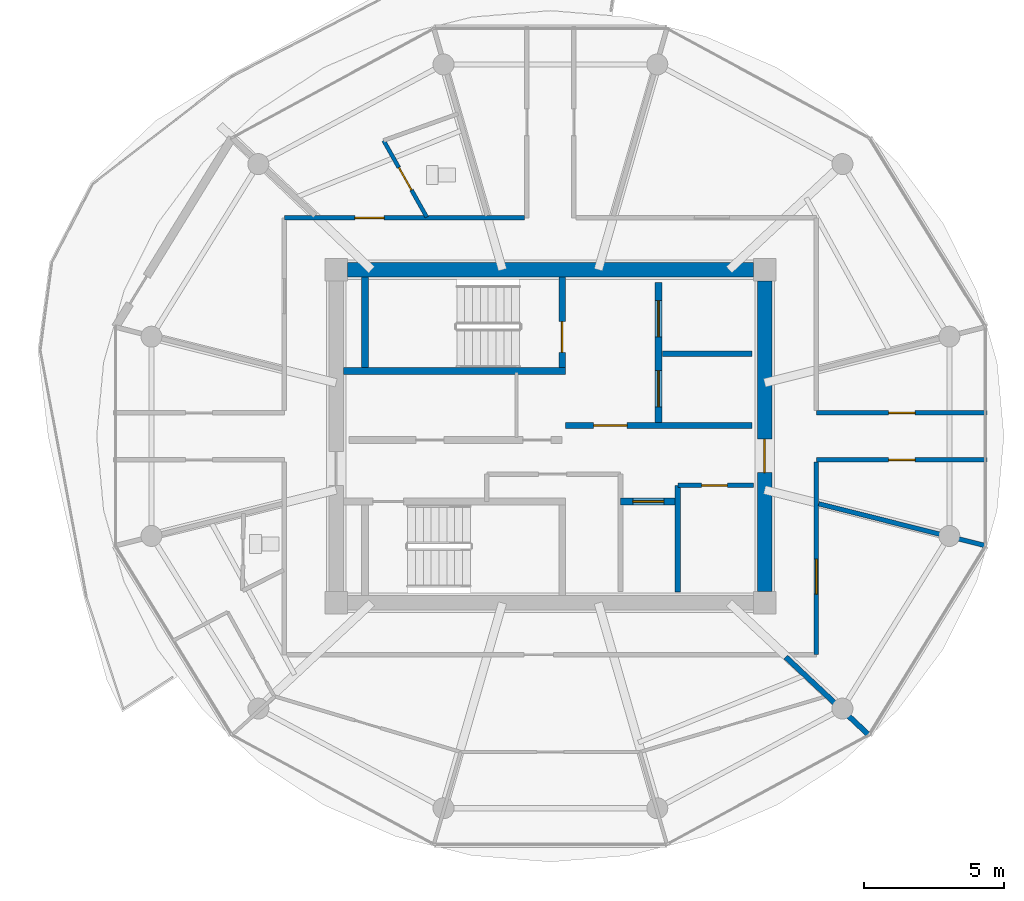
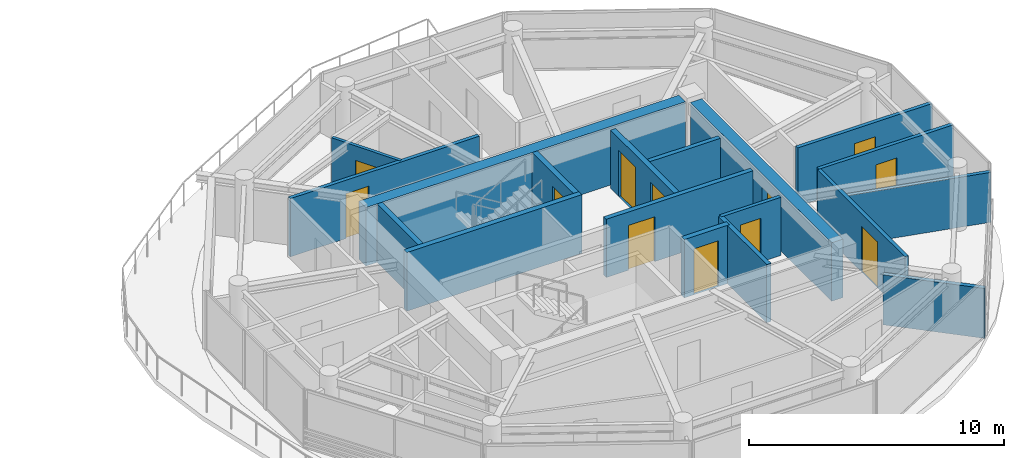
# One storey, part 13 of 19: 18 walls, 12 doors, 12 openings.
"""IFC4 building model written with IfcOpenShell, lengths in metres."""

from ifc_helpers import new_model, si_unit, direction, frame, frame_2d, origin, place, context, subcontext, project, spatial, rectangle, extrude, source, transform, mapped, material, layer, layer_set, type_object, type_shapes, element, fill, save


model = new_model("IFC4")

# Units and contexts
model_context = context("Model", 3, precision=1e-05, world=origin(), true_north=direction((0.0, 1.0)))
body_context = subcontext(model_context, "Body", "Model", "MODEL_VIEW")
ifc_project = project(units=[si_unit("LENGTHUNIT", "METRE"), si_unit("AREAUNIT", "SQUARE_METRE"), si_unit("VOLUMEUNIT", "CUBIC_METRE"), si_unit("PLANEANGLEUNIT", "RADIAN"), si_unit("MASSUNIT", "GRAM", prefix="KILO")], contexts=[model_context])

# Site, building, storey
site_placement = place(None, origin())
site = spatial("IfcSite", under=ifc_project, at=site_placement, CompositionType="ELEMENT")
building_placement = place(site_placement, origin())
building = spatial("IfcBuilding", under=site, at=building_placement, Name="Norrkilde Senior Care Towers", CompositionType="ELEMENT")
storey_placement = place(building_placement, frame((0.0, 0.0, 193.699951171875)))
storey = spatial("IfcBuildingStorey", under=building, at=storey_placement, Name="L60", CompositionType="ELEMENT", Elevation=193.699951171875)

# Wall
ifc_material_1 = material(Name="Concrete C50/60", Category="concrete")
ifc_layer_1 = layer(ifc_material_1, 0.52001953125)
ifc_layer_set_1 = layer_set([ifc_layer_1], Name="Concrete C50/60")
wall_type_1 = type_object("IfcWallType", Name="Core Shear Wall Z4 520", PredefinedType="SHEAR", material=ifc_layer_set_1)
shared_shape_1 = source(origin(), body_context, "Body", "SweptSolid", [
    extrude(rectangle(XDim=14.5, YDim=0.52001953125, at=frame_2d((7.25, 0.0))), origin(), (0.0, 0.0, 1.0), 2.81005859375),
])
wall_1_placement = place(storey_placement, frame((20.75, 5.949951171875, 0.0), z_axis=(0.0, 0.0, 1.0), x_axis=(1.0, 0.0, 0.0)))
element("IfcWall", 1, at=wall_1_placement, inside=storey, type_object=wall_type_1, Name="L60 Core E North Shear Wall", PredefinedType="SHEAR", context=body_context, shape_type="MappedRepresentation", body=[
    mapped(shared_shape_1, transform((0.0, 0.0, 0.0), x_axis=(1.0, 0.0, 0.0), y_axis=(0.0, 1.0, 0.0), z_axis=(0.0, 0.0, 1.0), scale=1.0)),
])

# Wall, opening, door
shared_shape_2 = source(origin(), body_context, "Body", "SweptSolid", [
    extrude(rectangle(XDim=11.10009765625, YDim=0.52001953125, at=frame_2d((5.550048828125, 0.0))), origin(), (0.0, 0.0, 1.0), 2.81005859375),
])
type_shapes(wall_type_1, [shared_shape_1, shared_shape_2])
wall_2_placement = place(storey_placement, frame((35.64990234375, 5.550048828125, 0.0), z_axis=(0.0, 0.0, 1.0), x_axis=(0.0, -1.0, 0.0)))
wall_2 = element("IfcWall", 2, at=wall_2_placement, inside=storey, type_object=wall_type_1, Name="L60 Core E East Shear Wall", PredefinedType="SHEAR", context=body_context, shape_type="MappedRepresentation", body=[
    mapped(shared_shape_2, transform((0.0, 0.0, 0.0), x_axis=(1.0, 0.0, 0.0), y_axis=(0.0, 1.0, 0.0), z_axis=(0.0, 0.0, 1.0), scale=1.0)),
])
opening_1_placement = place(wall_2_placement, frame((5.64990234375, 0.0, 0.0)))
opening_1 = element("IfcOpeningElement", 3, at=opening_1_placement, cuts=wall_2, Name="Opening D-04", PredefinedType="OPENING", context=body_context, shape_type="SweptSolid", body=[
    extrude(rectangle(XDim=1.199951171875, YDim=2.14990234375, at=frame_2d((0.60009765625, 1.074951171875))), frame((0.0, 0.27001953125, 0.0), z_axis=(0.0, -1.0, 0.0), x_axis=(1.0, 0.0, 0.0)), (0.0, 0.0, 1.0), 0.5400390625),
])
ifc_material_2 = material(Name="Galvanised Painted Steel", Category="steel")
door_type_1 = type_object("IfcDoorType", Name="Firefighting Lobby Fire Door 1200x2150", OperationType="NOTDEFINED", PredefinedType="DOOR", material=ifc_material_2)
shared_shape_3 = source(origin(), body_context, "Body", "SweptSolid", [
    extrude(rectangle(XDim=1.199951171875, YDim=2.14990234375, at=frame_2d((0.60009765625, 1.074951171875))), frame((0.0, 0.02490234375, 0.0), z_axis=(0.0, -1.0, 0.0), x_axis=(1.0, 0.0, 0.0)), (0.0, 0.0, 1.0), 0.050048828125),
])
type_shapes(door_type_1, [shared_shape_3])
door_1_placement = place(opening_1_placement, frame((1.199951171875, 0.0, 0.0), z_axis=(0.0, 0.0, 1.0), x_axis=(-1.0, 0.0, 0.0)))
door_1 = element("IfcDoor", 4, at=door_1_placement, inside=storey, type_object=door_type_1, Name="L60 Core E East Portal Door", OperationType="SINGLE_SWING_RIGHT", OverallHeight=2.14990234375, OverallWidth=1.199951171875, PredefinedType="DOOR", context=body_context, shape_type="MappedRepresentation", body=[
    mapped(shared_shape_3, transform((0.0, 0.0, 0.0), x_axis=(1.0, 0.0, 0.0), y_axis=(0.0, 1.0, 0.0), z_axis=(0.0, 0.0, 1.0), scale=1.0)),
])
fill(opening_1, door_1)

# Wall, openings, doors
ifc_material_3 = material(Name="Concrete C45/55", Category="concrete")
ifc_layer_2 = layer(ifc_material_3, 0.239990234375)
ifc_layer_set_2 = layer_set([ifc_layer_2], Name="Concrete C45/55")
wall_type_2 = type_object("IfcWallType", Name="Lift and Plant Rated Enclosure Partition 240", PredefinedType="PARTITIONING", material=ifc_layer_set_2)
shared_shape_4 = source(origin(), body_context, "Body", "SweptSolid", [
    extrude(rectangle(XDim=5.0, YDim=0.239990234375, at=frame_2d((2.5, 0.0))), origin(), (0.0, 0.0, 1.0), 2.795166015625),
])
wall_3_placement = place(storey_placement, frame((31.860107421875, 0.5, 0.0), z_axis=(0.0, 0.0, 1.0), x_axis=(0.0, 1.0, 0.0)))
wall_3 = element("IfcWall", 5, at=wall_3_placement, inside=storey, type_object=wall_type_2, Name="WL-INT-L60-E-FFLE", PredefinedType="PARTITIONING", context=body_context, shape_type="MappedRepresentation", body=[
    mapped(shared_shape_4, transform((0.0, 0.0, 0.0), x_axis=(1.0, 0.0, 0.0), y_axis=(0.0, 1.0, 0.0), z_axis=(0.0, 0.0, 1.0), scale=1.0)),
])
opening_2_placement = place(wall_3_placement, frame((3.050048828125, 0.0, 0.0)))
opening_2 = element("IfcOpeningElement", 6, at=opening_2_placement, cuts=wall_3, Name="Opening LD-02", PredefinedType="OPENING", context=body_context, shape_type="SweptSolid", body=[
    extrude(rectangle(XDim=1.300048828125, YDim=2.199951171875, at=frame_2d((0.64990234375, 1.10009765625))), frame((0.0, 0.1298828125, 0.0), z_axis=(0.0, -1.0, 0.0), x_axis=(1.0, 0.0, 0.0)), (0.0, 0.0, 1.0), 0.260009765625),
])
opening_3_placement = place(wall_3_placement, frame((0.550048828125, 0.0, 0.0)))
opening_3 = element("IfcOpeningElement", 7, at=opening_3_placement, cuts=wall_3, Name="Opening LD-02", PredefinedType="OPENING", context=body_context, shape_type="SweptSolid", body=[
    extrude(rectangle(XDim=1.300048828125, YDim=2.199951171875, at=frame_2d((0.64990234375, 1.10009765625))), frame((0.0, 0.1298828125, 0.0), z_axis=(0.0, -1.0, 0.0), x_axis=(1.0, 0.0, 0.0)), (0.0, 0.0, 1.0), 0.260009765625),
])
ifc_material_4 = material(Name="Stainless Steel", Category="steel")
door_type_2 = type_object("IfcDoorType", Name="Stretcher and FFL Landing Sliding Door 1300x2200", OperationType="NOTDEFINED", PredefinedType="DOOR", material=ifc_material_4)
shared_shape_5 = source(origin(), body_context, "Body", "SweptSolid", [
    extrude(rectangle(XDim=1.300048828125, YDim=2.199951171875, at=frame_2d((0.64990234375, 1.10009765625))), frame((0.0, 0.02490234375, 0.0), z_axis=(0.0, -1.0, 0.0), x_axis=(1.0, 0.0, 0.0)), (0.0, 0.0, 1.0), 0.050048828125),
])
type_shapes(door_type_2, [shared_shape_5])
door_2_placement = place(opening_2_placement, origin())
door_2 = element("IfcDoor", 8, at=door_2_placement, inside=storey, type_object=door_type_2, Name="L60 Firefighting Lift E1 Landing Door", OperationType="SLIDING_TO_LEFT", OverallHeight=2.199951171875, OverallWidth=1.300048828125, PredefinedType="DOOR", context=body_context, shape_type="MappedRepresentation", body=[
    mapped(shared_shape_5, transform((0.0, 0.0, 0.0), x_axis=(1.0, 0.0, 0.0), y_axis=(0.0, 1.0, 0.0), z_axis=(0.0, 0.0, 1.0), scale=1.0)),
])
fill(opening_2, door_2)
door_3_placement = place(opening_3_placement, origin())
door_3 = element("IfcDoor", 9, at=door_3_placement, inside=storey, type_object=door_type_2, Name="L60 Stretcher Lift E1 Landing Door", OperationType="SLIDING_TO_RIGHT", OverallHeight=2.199951171875, OverallWidth=1.300048828125, PredefinedType="DOOR", context=body_context, shape_type="MappedRepresentation", body=[
    mapped(shared_shape_5, transform((0.0, 0.0, 0.0), x_axis=(1.0, 0.0, 0.0), y_axis=(0.0, 1.0, 0.0), z_axis=(0.0, 0.0, 1.0), scale=1.0)),
])
fill(opening_3, door_3)

# Wall
ifc_layer_3 = layer(ifc_material_3, 0.199951171875)
ifc_layer_set_3 = layer_set([ifc_layer_3], Name="Concrete C45/55")
wall_type_3 = type_object("IfcWallType", Name="Shaft Division and Plant Partition 200", PredefinedType="PARTITIONING", material=ifc_layer_set_3)
shared_shape_6 = source(origin(), body_context, "Body", "SweptSolid", [
    extrude(rectangle(XDim=3.199951171875, YDim=0.199951171875, at=frame_2d((1.60009765625, 0.0))), origin(), (0.0, 0.0, 1.0), 2.795166015625),
])
wall_4_placement = place(storey_placement, frame((32.0, 2.949951171875, 0.0), z_axis=(0.0, 0.0, 1.0), x_axis=(1.0, 0.0, 0.0)))
element("IfcWall", 10, at=wall_4_placement, inside=storey, type_object=wall_type_3, Name="WL-INT-L60-E-FFLDIV", PredefinedType="PARTITIONING", context=body_context, shape_type="MappedRepresentation", body=[
    mapped(shared_shape_6, transform((0.0, 0.0, 0.0), x_axis=(1.0, 0.0, 0.0), y_axis=(0.0, 1.0, 0.0), z_axis=(0.0, 0.0, 1.0), scale=1.0)),
])

# Wall, opening, door
ifc_layer_4 = layer(ifc_material_3, 0.2099609375)
ifc_layer_set_4 = layer_set([ifc_layer_4], Name="Concrete C45/55")
wall_type_4 = type_object("IfcWallType", Name="Firefighting Lobby Wall 210", PredefinedType="PARTITIONING", material=ifc_layer_set_4)
shared_shape_7 = source(origin(), body_context, "Body", "SweptSolid", [
    extrude(rectangle(XDim=6.659912109375, YDim=0.2099609375, at=frame_2d((3.330078125, 0.0))), origin(), (0.0, 0.0, 1.0), 2.795166015625),
])
type_shapes(wall_type_4, [shared_shape_7])
wall_5_placement = place(storey_placement, frame((28.5400390625, 0.389892578125, 0.0), z_axis=(0.0, 0.0, 1.0), x_axis=(1.0, 0.0, 0.0)))
wall_5 = element("IfcWall", 11, at=wall_5_placement, inside=storey, type_object=wall_type_4, Name="WL-INT-L60-E-FFLS", PredefinedType="PARTITIONING", context=body_context, shape_type="MappedRepresentation", body=[
    mapped(shared_shape_7, transform((0.0, 0.0, 0.0), x_axis=(1.0, 0.0, 0.0), y_axis=(0.0, 1.0, 0.0), z_axis=(0.0, 0.0, 1.0), scale=1.0)),
])
opening_4_placement = place(wall_5_placement, frame((1.0, 0.0, 0.0)))
opening_4 = element("IfcOpeningElement", 12, at=opening_4_placement, cuts=wall_5, Name="Opening D-04", PredefinedType="OPENING", context=body_context, shape_type="SweptSolid", body=[
    extrude(rectangle(XDim=1.199951171875, YDim=2.14990234375, at=frame_2d((0.60009765625, 1.074951171875))), frame((0.0, 0.114990234375, 0.0), z_axis=(0.0, -1.0, 0.0), x_axis=(1.0, 0.0, 0.0)), (0.0, 0.0, 1.0), 0.22998046875),
])
door_4_placement = place(opening_4_placement, frame((1.199951171875, 0.0, 0.0), z_axis=(0.0, 0.0, 1.0), x_axis=(-1.0, 0.0, 0.0)))
door_4 = element("IfcDoor", 13, at=door_4_placement, inside=storey, type_object=door_type_1, Name="L60 Firefighting Lobby E Door", OperationType="SINGLE_SWING_LEFT", OverallHeight=2.14990234375, OverallWidth=1.199951171875, PredefinedType="DOOR", context=body_context, shape_type="MappedRepresentation", body=[
    mapped(shared_shape_3, transform((0.0, 0.0, 0.0), x_axis=(1.0, 0.0, 0.0), y_axis=(0.0, 1.0, 0.0), z_axis=(0.0, 0.0, 1.0), scale=1.0)),
])
fill(opening_4, door_4)

# Wall
shared_shape_8 = source(origin(), body_context, "Body", "SweptSolid", [
    extrude(rectangle(XDim=3.800048828125, YDim=0.199951171875, at=frame_2d((1.89990234375, 0.0))), origin(), (0.0, 0.0, 1.0), 2.795166015625),
])
type_shapes(wall_type_3, [shared_shape_6, shared_shape_8])
wall_6_placement = place(storey_placement, frame((32.550048828125, -5.550048828125, 0.0), z_axis=(0.0, 0.0, 1.0), x_axis=(0.0, 1.0, 0.0)))
element("IfcWall", 14, at=wall_6_placement, inside=storey, type_object=wall_type_3, Name="WL-INT-L60-E-PKBE", PredefinedType="PARTITIONING", context=body_context, shape_type="MappedRepresentation", body=[
    mapped(shared_shape_8, transform((0.0, 0.0, 0.0), x_axis=(1.0, 0.0, 0.0), y_axis=(0.0, 1.0, 0.0), z_axis=(0.0, 0.0, 1.0), scale=1.0)),
])

# Wall, opening, door
ifc_material_5 = material(Name="Gypsum Acoustic Board")
ifc_layer_5 = layer(ifc_material_5, 0.1650390625)
ifc_layer_set_5 = layer_set([ifc_layer_5], Name="Gypsum Acoustic Board")
wall_type_5 = type_object("IfcWallType", Name="Corridor Rated Partition 165", PredefinedType="PARTITIONING", material=ifc_layer_set_5)
shared_shape_9 = source(origin(), body_context, "Body", "SweptSolid", [
    extrude(rectangle(XDim=2.699951171875, YDim=0.1650390625, at=frame_2d((1.35009765625, 0.0))), origin(), (0.0, 0.0, 1.0), 2.795166015625),
])
wall_7_placement = place(storey_placement, frame((32.550048828125, -1.75, 0.0), z_axis=(0.0, 0.0, 1.0), x_axis=(1.0, 0.0, 0.0)))
wall_7 = element("IfcWall", 15, at=wall_7_placement, inside=storey, type_object=wall_type_5, Name="WL-INT-L60-E-CSN", PredefinedType="PARTITIONING", context=body_context, shape_type="MappedRepresentation", body=[
    mapped(shared_shape_9, transform((0.0, 0.0, 0.0), x_axis=(1.0, 0.0, 0.0), y_axis=(0.0, 1.0, 0.0), z_axis=(0.0, 0.0, 1.0), scale=1.0)),
])
opening_5_placement = place(wall_7_placement, frame((0.85009765625, 0.0, 0.0)))
opening_5 = element("IfcOpeningElement", 16, at=opening_5_placement, cuts=wall_7, Name="Opening D-12", PredefinedType="OPENING", context=body_context, shape_type="SweptSolid", body=[
    extrude(rectangle(XDim=0.925048828125, YDim=2.10009765625, at=frame_2d((0.46240234375, 1.050048828125))), frame((0.0, 0.092529296875, 0.0), z_axis=(0.0, -1.0, 0.0), x_axis=(1.0, 0.0, 0.0)), (0.0, 0.0, 1.0), 0.18505859375),
])
door_type_3 = type_object("IfcDoorType", Name="Core Wet Room Rated Door 925x2100", OperationType="NOTDEFINED", PredefinedType="DOOR", material=ifc_material_2)
shared_shape_10 = source(origin(), body_context, "Body", "SweptSolid", [
    extrude(rectangle(XDim=0.925048828125, YDim=2.10009765625, at=frame_2d((0.46240234375, 1.050048828125))), frame((0.0, 0.02490234375, 0.0), z_axis=(0.0, -1.0, 0.0), x_axis=(1.0, 0.0, 0.0)), (0.0, 0.0, 1.0), 0.050048828125),
])
type_shapes(door_type_3, [shared_shape_10])
door_5_placement = place(opening_5_placement, origin())
door_5 = element("IfcDoor", 17, at=door_5_placement, inside=storey, type_object=door_type_3, Name="L60 Core Utility E Door", OperationType="SINGLE_SWING_LEFT", OverallHeight=2.10009765625, OverallWidth=0.925048828125, PredefinedType="DOOR", context=body_context, shape_type="MappedRepresentation", body=[
    mapped(shared_shape_10, transform((0.0, 0.0, 0.0), x_axis=(1.0, 0.0, 0.0), y_axis=(0.0, 1.0, 0.0), z_axis=(0.0, 0.0, 1.0), scale=1.0)),
])
fill(opening_5, door_5)

shared_shape_11 = source(origin(), body_context, "Body", "SweptSolid", [
    extrude(rectangle(XDim=8.580078125, YDim=0.1650390625, at=frame_2d((4.2900390625, 0.0))), origin(), (0.0, 0.0, 1.0), 2.795166015625),
])
wall_8_placement = place(storey_placement, frame((18.5, 7.800048828125, 0.0), z_axis=(0.0, 0.0, 1.0), x_axis=(1.0, 0.0, 0.0)))
wall_8 = element("IfcWall", 18, at=wall_8_placement, inside=storey, type_object=wall_type_5, Name="WL-INT-L60-E-CRW-N-0", PredefinedType="PARTITIONING", context=body_context, shape_type="MappedRepresentation", body=[
    mapped(shared_shape_11, transform((0.0, 0.0, 0.0), x_axis=(1.0, 0.0, 0.0), y_axis=(0.0, 1.0, 0.0), z_axis=(0.0, 0.0, 1.0), scale=1.0)),
])
opening_6_placement = place(wall_8_placement, frame((2.5146484375, 0.0, 0.0)))
opening_6 = element("IfcOpeningElement", 19, at=opening_6_placement, cuts=wall_8, Name="Opening D-06", PredefinedType="OPENING", context=body_context, shape_type="SweptSolid", body=[
    extrude(rectangle(XDim=1.050048828125, YDim=2.14990234375, at=frame_2d((0.52490234375, 1.074951171875))), frame((0.0, 0.092529296875, 0.0), z_axis=(0.0, -1.0, 0.0), x_axis=(1.0, 0.0, 0.0)), (0.0, 0.0, 1.0), 0.18505859375),
])
ifc_material_6 = material(Name="Nordic Ash Timber", Category="wood")
door_type_4 = type_object("IfcDoorType", Name="Apartment Entrance Fire Door 1050x2150", OperationType="NOTDEFINED", PredefinedType="DOOR", material=ifc_material_6)
shared_shape_12 = source(origin(), body_context, "Body", "SweptSolid", [
    extrude(rectangle(XDim=1.050048828125, YDim=2.14990234375, at=frame_2d((0.52490234375, 1.074951171875))), frame((0.0, 0.02490234375, 0.0), z_axis=(0.0, -1.0, 0.0), x_axis=(1.0, 0.0, 0.0)), (0.0, 0.0, 1.0), 0.050048828125),
])
type_shapes(door_type_4, [shared_shape_12])
door_6_placement = place(opening_6_placement, frame((1.050048828125, 0.0, 0.0), z_axis=(0.0, 0.0, 1.0), x_axis=(-1.0, 0.0, 0.0)))
door_6 = element("IfcDoor", 20, at=door_6_placement, inside=storey, type_object=door_type_4, Name="L60 Studio 60B Entrance Door", OperationType="SINGLE_SWING_RIGHT", OverallHeight=2.14990234375, OverallWidth=1.050048828125, PredefinedType="DOOR", context=body_context, shape_type="MappedRepresentation", body=[
    mapped(shared_shape_12, transform((0.0, 0.0, 0.0), x_axis=(1.0, 0.0, 0.0), y_axis=(0.0, 1.0, 0.0), z_axis=(0.0, 0.0, 1.0), scale=1.0)),
])
fill(opening_6, door_6)

shared_shape_13 = source(origin(), body_context, "Body", "SweptSolid", [
    extrude(rectangle(XDim=6.880126953125, YDim=0.1650390625, at=frame_2d((3.43994140625, 0.0))), origin(), (0.0, 0.0, 1.0), 2.795166015625),
])
wall_9_placement = place(storey_placement, frame((37.5, -0.919921875, 0.0), z_axis=(0.0, 0.0, 1.0), x_axis=(0.0, -1.0, 0.0)))
wall_9 = element("IfcWall", 21, at=wall_9_placement, inside=storey, type_object=wall_type_5, Name="WL-INT-L60-E-CRW-E-1", PredefinedType="PARTITIONING", context=body_context, shape_type="MappedRepresentation", body=[
    mapped(shared_shape_13, transform((0.0, 0.0, 0.0), x_axis=(1.0, 0.0, 0.0), y_axis=(0.0, 1.0, 0.0), z_axis=(0.0, 0.0, 1.0), scale=1.0)),
])
opening_7_placement = place(wall_9_placement, frame((3.46435546875, 0.0, 0.0)))
opening_7 = element("IfcOpeningElement", 22, at=opening_7_placement, cuts=wall_9, Name="Opening D-05", PredefinedType="OPENING", context=body_context, shape_type="SweptSolid", body=[
    extrude(rectangle(XDim=1.25, YDim=2.199951171875, at=frame_2d((0.625, 1.10009765625))), frame((0.0, 0.092529296875, 0.0), z_axis=(0.0, -1.0, 0.0), x_axis=(1.0, 0.0, 0.0)), (0.0, 0.0, 1.0), 0.18505859375),
])
door_type_5 = type_object("IfcDoorType", Name="Care Bedroom Bariatric Door 1250x2200", OperationType="NOTDEFINED", PredefinedType="DOOR", material=ifc_material_6)
shared_shape_14 = source(origin(), body_context, "Body", "SweptSolid", [
    extrude(rectangle(XDim=1.25, YDim=2.199951171875, at=frame_2d((0.625, 1.10009765625))), frame((0.0, 0.02490234375, 0.0), z_axis=(0.0, -1.0, 0.0), x_axis=(1.0, 0.0, 0.0)), (0.0, 0.0, 1.0), 0.050048828125),
])
type_shapes(door_type_5, [shared_shape_14])
door_7_placement = place(opening_7_placement, frame((1.25, 0.0, 0.0), z_axis=(0.0, 0.0, 1.0), x_axis=(-1.0, 0.0, 0.0)))
door_7 = element("IfcDoor", 23, at=door_7_placement, inside=storey, type_object=door_type_5, Name="L60 Care Coordination Charting Office Door", OperationType="SINGLE_SWING_LEFT", OverallHeight=2.199951171875, OverallWidth=1.25, PredefinedType="DOOR", context=body_context, shape_type="MappedRepresentation", body=[
    mapped(shared_shape_14, transform((0.0, 0.0, 0.0), x_axis=(1.0, 0.0, 0.0), y_axis=(0.0, 1.0, 0.0), z_axis=(0.0, 0.0, 1.0), scale=1.0)),
])
fill(opening_7, door_7)

shared_shape_15 = source(origin(), body_context, "Body", "SweptSolid", [
    extrude(rectangle(XDim=2.050048828125, YDim=0.239990234375, at=frame_2d((1.02490234375, 0.0))), origin(), (0.0, 0.0, 1.0), 2.795166015625),
])
type_shapes(wall_type_2, [shared_shape_4, shared_shape_15])
wall_10_placement = place(storey_placement, frame((30.5, -2.330078125, 0.0), z_axis=(0.0, 0.0, 1.0), x_axis=(1.0, 0.0, 0.0)))
wall_10 = element("IfcWall", 24, at=wall_10_placement, inside=storey, type_object=wall_type_2, Name="WL-INT-L60-E-PL4N", PredefinedType="PARTITIONING", context=body_context, shape_type="MappedRepresentation", body=[
    mapped(shared_shape_15, transform((0.0, 0.0, 0.0), x_axis=(1.0, 0.0, 0.0), y_axis=(0.0, 1.0, 0.0), z_axis=(0.0, 0.0, 1.0), scale=1.0)),
])
opening_8_placement = place(wall_10_placement, frame((0.449951171875, 0.0, 0.0)))
opening_8 = element("IfcOpeningElement", 25, at=opening_8_placement, cuts=wall_10, Name="Opening LD-01", PredefinedType="OPENING", context=body_context, shape_type="SweptSolid", body=[
    extrude(rectangle(XDim=1.10009765625, YDim=2.199951171875, at=frame_2d((0.550048828125, 1.10009765625))), frame((0.0, 0.1298828125, 0.0), z_axis=(0.0, -1.0, 0.0), x_axis=(1.0, 0.0, 0.0)), (0.0, 0.0, 1.0), 0.260009765625),
])
door_type_6 = type_object("IfcDoorType", Name="Lift Landing Sliding Door 1100x2200", OperationType="NOTDEFINED", PredefinedType="DOOR", material=ifc_material_4)
shared_shape_16 = source(origin(), body_context, "Body", "SweptSolid", [
    extrude(rectangle(XDim=1.10009765625, YDim=2.199951171875, at=frame_2d((0.550048828125, 1.10009765625))), frame((0.0, 0.02490234375, 0.0), z_axis=(0.0, -1.0, 0.0), x_axis=(1.0, 0.0, 0.0)), (0.0, 0.0, 1.0), 0.050048828125),
])
type_shapes(door_type_6, [shared_shape_16])
door_8_placement = place(opening_8_placement, frame((1.10009765625, 0.0, 0.0), z_axis=(0.0, 0.0, 1.0), x_axis=(-1.0, 0.0, 0.0)))
door_8 = element("IfcDoor", 26, at=door_8_placement, inside=storey, type_object=door_type_6, Name="L60 Passenger Lift E4 Landing Door", OperationType="SLIDING_TO_RIGHT", OverallHeight=2.199951171875, OverallWidth=1.10009765625, PredefinedType="DOOR", context=body_context, shape_type="MappedRepresentation", body=[
    mapped(shared_shape_16, transform((0.0, 0.0, 0.0), x_axis=(1.0, 0.0, 0.0), y_axis=(0.0, 1.0, 0.0), z_axis=(0.0, 0.0, 1.0), scale=1.0)),
])
fill(opening_8, door_8)

# Walls
ifc_layer_6 = layer(ifc_material_3, 0.239990234375)
ifc_layer_set_6 = layer_set([ifc_layer_6], Name="Concrete C45/55")
wall_type_6 = type_object("IfcWallType", Name="Shaft and Stair Enclosure Wall 240", PredefinedType="PARTITIONING", material=ifc_layer_set_6)
shared_shape_17 = source(origin(), body_context, "Body", "SweptSolid", [
    extrude(rectangle(XDim=7.929931640625, YDim=0.239990234375, at=frame_2d((3.96484375, 0.0))), origin(), (0.0, 0.0, 1.0), 2.81005859375),
])
wall_11_placement = place(storey_placement, frame((20.610107421875, 2.330078125, 0.0), z_axis=(0.0, 0.0, 1.0), x_axis=(1.0, 0.0, 0.0)))
element("IfcWall", 27, at=wall_11_placement, inside=storey, type_object=wall_type_6, Name="WL-INT-L60-E-ST1S", PredefinedType="PARTITIONING", context=body_context, shape_type="MappedRepresentation", body=[
    mapped(shared_shape_17, transform((0.0, 0.0, 0.0), x_axis=(1.0, 0.0, 0.0), y_axis=(0.0, 1.0, 0.0), z_axis=(0.0, 0.0, 1.0), scale=1.0)),
])
shared_shape_18 = source(origin(), body_context, "Body", "SweptSolid", [
    extrude(rectangle(XDim=3.239990234375, YDim=0.239990234375, at=frame_2d((1.6201171875, 0.0))), origin(), (0.0, 0.0, 1.0), 2.81005859375),
])
type_shapes(wall_type_6, [shared_shape_17, shared_shape_18])
wall_12_placement = place(storey_placement, frame((21.3798828125, 2.449951171875, 0.0), z_axis=(0.0, 0.0, 1.0), x_axis=(0.0, 1.0, 0.0)))
element("IfcWall", 28, at=wall_12_placement, inside=storey, type_object=wall_type_6, Name="WL-INT-L60-E-ST1W", PredefinedType="PARTITIONING", context=body_context, shape_type="MappedRepresentation", body=[
    mapped(shared_shape_18, transform((0.0, 0.0, 0.0), x_axis=(1.0, 0.0, 0.0), y_axis=(0.0, 1.0, 0.0), z_axis=(0.0, 0.0, 1.0), scale=1.0)),
])

# Wall, opening, door
wall_13_placement = place(storey_placement, frame((28.419921875, 2.449951171875, 0.0), z_axis=(0.0, 0.0, 1.0), x_axis=(0.0, 1.0, 0.0)))
wall_13 = element("IfcWall", 29, at=wall_13_placement, inside=storey, type_object=wall_type_6, Name="WL-INT-L60-E-ST1E", PredefinedType="PARTITIONING", context=body_context, shape_type="MappedRepresentation", body=[
    mapped(shared_shape_18, transform((0.0, 0.0, 0.0), x_axis=(1.0, 0.0, 0.0), y_axis=(0.0, 1.0, 0.0), z_axis=(0.0, 0.0, 1.0), scale=1.0)),
])
opening_9_placement = place(wall_13_placement, frame((0.550048828125, 0.0, 0.0)))
opening_9 = element("IfcOpeningElement", 30, at=opening_9_placement, cuts=wall_13, Name="Opening D-03", PredefinedType="OPENING", context=body_context, shape_type="SweptSolid", body=[
    extrude(rectangle(XDim=1.10009765625, YDim=2.14990234375, at=frame_2d((0.550048828125, 1.074951171875))), frame((0.0, 0.1298828125, 0.0), z_axis=(0.0, -1.0, 0.0), x_axis=(1.0, 0.0, 0.0)), (0.0, 0.0, 1.0), 0.260009765625),
])
door_type_7 = type_object("IfcDoorType", Name="Stairwell Protected Fire Door 1100x2150", OperationType="NOTDEFINED", PredefinedType="DOOR", material=ifc_material_2)
shared_shape_19 = source(origin(), body_context, "Body", "SweptSolid", [
    extrude(rectangle(XDim=1.10009765625, YDim=2.14990234375, at=frame_2d((0.550048828125, 1.074951171875))), frame((0.0, 0.02490234375, 0.0), z_axis=(0.0, -1.0, 0.0), x_axis=(1.0, 0.0, 0.0)), (0.0, 0.0, 1.0), 0.050048828125),
])
type_shapes(door_type_7, [shared_shape_19])
door_9_placement = place(opening_9_placement, origin())
door_9 = element("IfcDoor", 31, at=door_9_placement, inside=storey, type_object=door_type_7, Name="L60 Stair E1 Fire Door", OperationType="SINGLE_SWING_LEFT", OverallHeight=2.14990234375, OverallWidth=1.10009765625, PredefinedType="DOOR", context=body_context, shape_type="MappedRepresentation", body=[
    mapped(shared_shape_19, transform((0.0, 0.0, 0.0), x_axis=(1.0, 0.0, 0.0), y_axis=(0.0, 1.0, 0.0), z_axis=(0.0, 0.0, 1.0), scale=1.0)),
])
fill(opening_9, door_9)

# Wall
shared_shape_20 = source(origin(), body_context, "Body", "SweptSolid", [
    extrude(rectangle(XDim=6.1572265625, YDim=0.1650390625, at=frame_2d((3.07861328125, 0.0))), origin(), (0.0, 0.0, 1.0), 2.39501953125),
])
wall_14_placement = place(storey_placement, frame((37.580078125, -2.407470703125, 0.0), z_axis=(0.0, 0.0, 1.0), x_axis=(0.969840867184, -0.243738984038, 0.0)))
element("IfcWall", 32, at=wall_14_placement, inside=storey, type_object=wall_type_5, Name="WL-INT-L60-E-DEM-11-0", PredefinedType="PARTITIONING", context=body_context, shape_type="MappedRepresentation", body=[
    mapped(shared_shape_20, transform((0.0, 0.0, 0.0), x_axis=(1.0, 0.0, 0.0), y_axis=(0.0, 1.0, 0.0), z_axis=(0.0, 0.0, 1.0), scale=1.0)),
])

# Wall, opening, door
shared_shape_21 = source(origin(), body_context, "Body", "SweptSolid", [
    extrude(rectangle(XDim=6.101318359375, YDim=0.1650390625, at=frame_2d((3.05078125, 0.0))), origin(), (0.0, 0.0, 1.0), 2.795166015625),
])
type_shapes(wall_type_5, [shared_shape_9, shared_shape_11, shared_shape_13, shared_shape_20, shared_shape_21])
wall_15_placement = place(storey_placement, frame((37.5, 0.840087890625, 0.0), z_axis=(0.0, 0.0, 1.0), x_axis=(1.0, 0.0, 0.0)))
wall_15 = element("IfcWall", 33, at=wall_15_placement, inside=storey, type_object=wall_type_5, Name="WL-INT-L60-E-SPK-E1-0", PredefinedType="PARTITIONING", context=body_context, shape_type="MappedRepresentation", body=[
    mapped(shared_shape_21, transform((0.0, 0.0, 0.0), x_axis=(1.0, 0.0, 0.0), y_axis=(0.0, 1.0, 0.0), z_axis=(0.0, 0.0, 1.0), scale=1.0)),
])
opening_10_placement = place(wall_15_placement, frame((2.57568359375, 0.0, 0.0)))
opening_10 = element("IfcOpeningElement", 34, at=opening_10_placement, cuts=wall_15, Name="Opening D-07", PredefinedType="OPENING", context=body_context, shape_type="SweptSolid", body=[
    extrude(rectangle(XDim=0.949951171875, YDim=2.10009765625, at=frame_2d((0.47509765625, 1.050048828125))), frame((0.0, 0.092529296875, 0.0), z_axis=(0.0, -1.0, 0.0), x_axis=(1.0, 0.0, 0.0)), (0.0, 0.0, 1.0), 0.18505859375),
])
door_type_8 = type_object("IfcDoorType", Name="Internal Suite Bedroom Door 950x2100", OperationType="NOTDEFINED", PredefinedType="DOOR", material=ifc_material_6)
shared_shape_22 = source(origin(), body_context, "Body", "SweptSolid", [
    extrude(rectangle(XDim=0.949951171875, YDim=2.10009765625, at=frame_2d((0.47509765625, 1.050048828125))), frame((0.0, 0.02490234375, 0.0), z_axis=(0.0, -1.0, 0.0), x_axis=(1.0, 0.0, 0.0)), (0.0, 0.0, 1.0), 0.050048828125),
])
type_shapes(door_type_8, [shared_shape_22])
door_10_placement = place(opening_10_placement, frame((0.949951171875, 0.0, 0.0), z_axis=(0.0, 0.0, 1.0), x_axis=(-1.0, 0.0, 0.0)))
door_10 = element("IfcDoor", 35, at=door_10_placement, inside=storey, type_object=door_type_8, Name="L60 Sun Reading Lounge 6 Door", OperationType="SINGLE_SWING_LEFT", OverallHeight=2.10009765625, OverallWidth=0.949951171875, PredefinedType="DOOR", context=body_context, shape_type="MappedRepresentation", body=[
    mapped(shared_shape_22, transform((0.0, 0.0, 0.0), x_axis=(1.0, 0.0, 0.0), y_axis=(0.0, 1.0, 0.0), z_axis=(0.0, 0.0, 1.0), scale=1.0)),
])
fill(opening_10, door_10)

wall_16_placement = place(storey_placement, frame((43.601318359375, -0.840087890625, 0.0), z_axis=(0.0, 0.0, 1.0), x_axis=(-1.0, 0.0, 0.0)))
wall_16 = element("IfcWall", 36, at=wall_16_placement, inside=storey, type_object=wall_type_5, Name="WL-INT-L60-E-SPK-E2-0", PredefinedType="PARTITIONING", context=body_context, shape_type="MappedRepresentation", body=[
    mapped(shared_shape_21, transform((0.0, 0.0, 0.0), x_axis=(1.0, 0.0, 0.0), y_axis=(0.0, 1.0, 0.0), z_axis=(0.0, 0.0, 1.0), scale=1.0)),
])
opening_11_placement = place(wall_16_placement, frame((2.57568359375, 0.0, 0.0)))
opening_11 = element("IfcOpeningElement", 37, at=opening_11_placement, cuts=wall_16, Name="Opening D-07", PredefinedType="OPENING", context=body_context, shape_type="SweptSolid", body=[
    extrude(rectangle(XDim=0.949951171875, YDim=2.10009765625, at=frame_2d((0.47509765625, 1.050048828125))), frame((0.0, 0.092529296875, 0.0), z_axis=(0.0, -1.0, 0.0), x_axis=(1.0, 0.0, 0.0)), (0.0, 0.0, 1.0), 0.18505859375),
])
door_11_placement = place(opening_11_placement, frame((0.949951171875, 0.0, 0.0), z_axis=(0.0, 0.0, 1.0), x_axis=(-1.0, 0.0, 0.0)))
door_11 = element("IfcDoor", 38, at=door_11_placement, inside=storey, type_object=door_type_8, Name="L60 Sun Reading Lounge 5 Door", OperationType="SINGLE_SWING_RIGHT", OverallHeight=2.10009765625, OverallWidth=0.949951171875, PredefinedType="DOOR", context=body_context, shape_type="MappedRepresentation", body=[
    mapped(shared_shape_22, transform((0.0, 0.0, 0.0), x_axis=(1.0, 0.0, 0.0), y_axis=(0.0, 1.0, 0.0), z_axis=(0.0, 0.0, 1.0), scale=1.0)),
])
fill(opening_11, door_11)

# Wall
ifc_layer_7 = layer(ifc_material_5, 0.18994140625)
ifc_layer_set_7 = layer_set([ifc_layer_7], Name="Gypsum Acoustic Board")
wall_type_7 = type_object("IfcWallType", Name="Unit Demising Acoustic Wall 190", PredefinedType="PARTITIONING", material=ifc_layer_set_7)
shared_shape_23 = source(origin(), body_context, "Body", "SweptSolid", [
    extrude(rectangle(XDim=4.089111328125, YDim=0.18994140625, at=frame_2d((2.04443359375, 0.0))), origin(), (0.0, 0.0, 1.0), 2.39501953125),
])
type_shapes(wall_type_7, [shared_shape_23])
wall_17_placement = place(storey_placement, frame((36.40185546875, -7.8798828125, 0.0), z_axis=(0.0, 0.0, 1.0), x_axis=(0.729401273609, -0.684086092577, 0.0)))
element("IfcWall", 39, at=wall_17_placement, inside=storey, type_object=wall_type_7, Name="WL-INT-L60-E-DEM-10-0", PredefinedType="PARTITIONING", context=body_context, shape_type="MappedRepresentation", body=[
    mapped(shared_shape_23, transform((0.0, 0.0, 0.0), x_axis=(1.0, 0.0, 0.0), y_axis=(0.0, 1.0, 0.0), z_axis=(0.0, 0.0, 1.0), scale=1.0)),
])

# Wall, opening, door
ifc_layer_8 = layer(ifc_material_5, 0.139892578125)
ifc_layer_set_8 = layer_set([ifc_layer_8], Name="Gypsum Acoustic Board")
wall_type_8 = type_object("IfcWallType", Name="En-suite Wet Room Wall 140", PredefinedType="PARTITIONING", material=ifc_layer_set_8)
shared_shape_24 = source(origin(), body_context, "Body", "SweptSolid", [
    extrude(rectangle(XDim=3.14013671875, YDim=0.139892578125, at=frame_2d((1.570068359375, 0.0))), origin(), (0.0, 0.0, 1.0), 2.795166015625),
])
type_shapes(wall_type_8, [shared_shape_24])
wall_18_placement = place(storey_placement, frame((23.5849609375, 7.830078125, 0.0), z_axis=(0.0, 0.0, 1.0), x_axis=(-0.491132137966, 0.871085083707, 0.0)))
wall_18 = element("IfcWall", 40, at=wall_18_placement, inside=storey, type_object=wall_type_8, Name="WL-INT-L60-E-ES-03", PredefinedType="PARTITIONING", context=body_context, shape_type="MappedRepresentation", body=[
    mapped(shared_shape_24, transform((0.0, 0.0, 0.0), x_axis=(1.0, 0.0, 0.0), y_axis=(0.0, 1.0, 0.0), z_axis=(0.0, 0.0, 1.0), scale=1.0)),
])
opening_12_placement = place(wall_18_placement, frame((1.110107421875, 0.0, 0.0)))
opening_12 = element("IfcOpeningElement", 41, at=opening_12_placement, cuts=wall_18, Name="Opening D-08", PredefinedType="OPENING", context=body_context, shape_type="SweptSolid", body=[
    extrude(rectangle(XDim=0.919921875, YDim=2.10009765625, at=frame_2d((0.4599609375, 1.050048828125))), frame((0.0, 0.079833984375, 0.0), z_axis=(0.0, -1.0, 0.0), x_axis=(1.0, 0.0, 0.0)), (0.0, 0.0, 1.0), 0.159912109375),
])
door_type_9 = type_object("IfcDoorType", Name="Accessible Wet Room Door 920x2100", OperationType="NOTDEFINED", PredefinedType="DOOR", material=ifc_material_6)
shared_shape_25 = source(origin(), body_context, "Body", "SweptSolid", [
    extrude(rectangle(XDim=0.919921875, YDim=2.10009765625, at=frame_2d((0.4599609375, 1.050048828125))), frame((0.0, 0.02490234375, 0.0), z_axis=(0.0, -1.0, 0.0), x_axis=(1.0, 0.0, 0.0)), (0.0, 0.0, 1.0), 0.050048828125),
])
type_shapes(door_type_9, [shared_shape_25])
door_12_placement = place(opening_12_placement, origin())
door_12 = element("IfcDoor", 42, at=door_12_placement, inside=storey, type_object=door_type_9, Name="L60 Studio 60B Bathroom Door", OperationType="SINGLE_SWING_LEFT", OverallHeight=2.10009765625, OverallWidth=0.919921875, PredefinedType="DOOR", context=body_context, shape_type="MappedRepresentation", body=[
    mapped(shared_shape_25, transform((0.0, 0.0, 0.0), x_axis=(1.0, 0.0, 0.0), y_axis=(0.0, 1.0, 0.0), z_axis=(0.0, 0.0, 1.0), scale=1.0)),
])
fill(opening_12, door_12)

save(model, "model.ifc")
